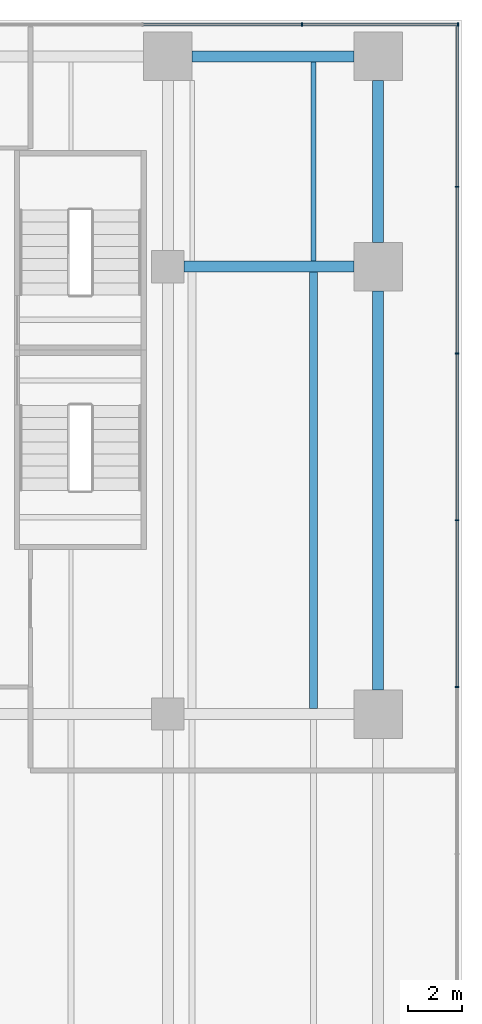
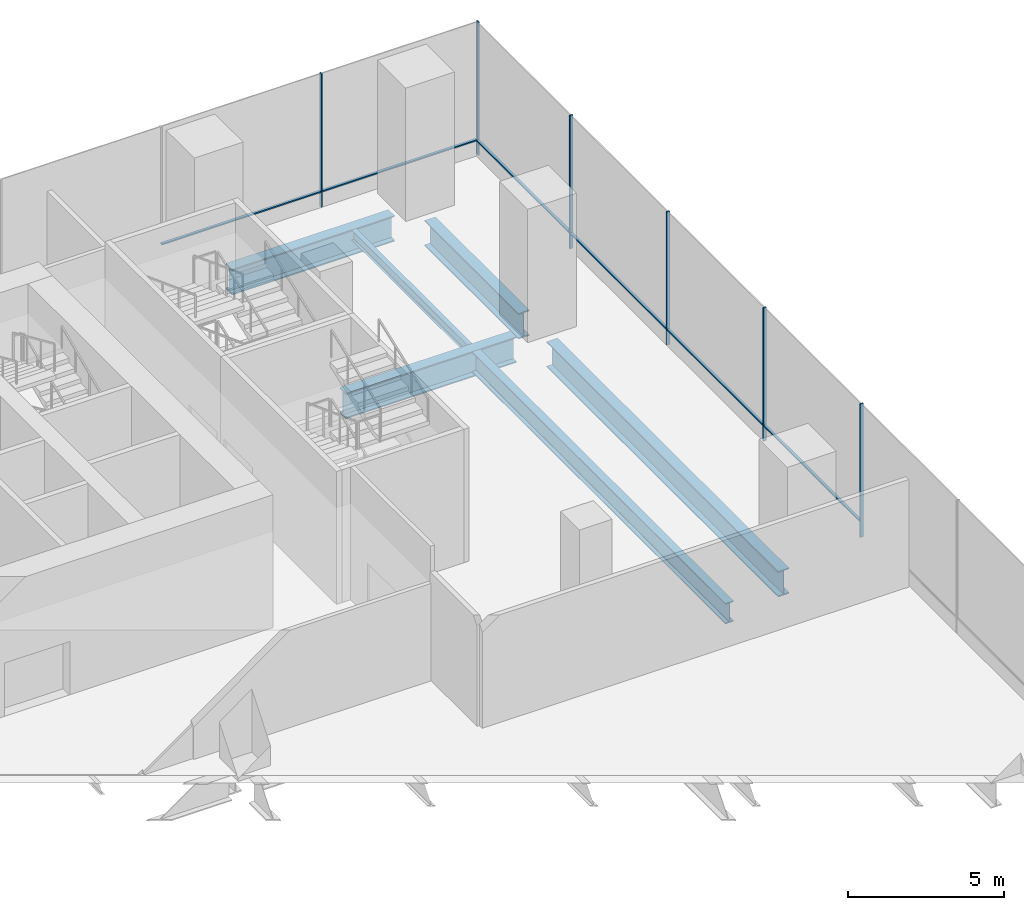
# One storey, part 16 of 26: 12 members, 6 beams, 2 elements without a shape of their own.
"""IFC4 building model written with IfcOpenShell, lengths in metres."""

import ifcopenshell
import ifcopenshell.guid

model = None  # the IFC model being written
_history = None  # IfcOwnerHistory: only IFC2X3 demands one
_inside = {}  # id of a spatial element -> (the spatial element, [elements in it])
_under = {}  # id of a project, library or spatial element -> (it, [spatial elements below it])
_declared = {}  # id of a project -> (the project, [libraries it declares])
_typed = {}  # id of a type object -> (the type object, [elements of that type])
_made_of = {}  # id of a material, layer set ... -> (it, [elements and type objects made of it])


def new_model(schema):
    """Start an empty IFC model of exactly this schema.

    Asked for "IFC4X3", IfcOpenShell would pick the latest addendum, in which some entities
    have other attributes; the version numbers below select the first issue.
    IFC2X3 requires an IfcOwnerHistory on every rooted entity: one is made here for all.
    """
    global model, _history
    if schema == "IFC4X3":
        model = ifcopenshell.file(schema_version=(4, 3, 0, 0))
    else:
        model = ifcopenshell.file(schema=schema)
    _inside.clear()
    _under.clear()
    _declared.clear()
    _typed.clear()
    _made_of.clear()
    _history = None
    if model.schema == "IFC2X3":
        org = make("IfcOrganization", Name="unknown")
        user = make(
            "IfcPersonAndOrganization",
            ThePerson=make("IfcPerson", FamilyName="unknown"),
            TheOrganization=org,
        )
        app = make(
            "IfcApplication",
            ApplicationDeveloper=org,
            Version="unknown",
            ApplicationFullName="unknown",
            ApplicationIdentifier="unknown",
        )
        _history = make(
            "IfcOwnerHistory",
            OwningUser=user,
            OwningApplication=app,
            ChangeAction="ADDED",
            CreationDate=0,
        )
    return model


def make(cls, **values):
    """One entity of the class cls with the attributes given. An attribute that is None is left unset."""
    return model.create_entity(
        cls, **{name: value for name, value in values.items() if value is not None}
    )


def rooted(cls, **values):
    """An entity with a GlobalId (a new one), such as an element, a storey or a relation."""
    return make(cls, GlobalId=ifcopenshell.guid.new(), OwnerHistory=_history, **values)


def si_unit(unit_type, name, prefix=None):
    """IfcSIUnit, for example si_unit("LENGTHUNIT", "METRE", prefix="MILLI")."""
    return make("IfcSIUnit", UnitType=unit_type, Prefix=prefix, Name=name)


def assignment(units):
    """IfcUnitAssignment: the units of a project."""
    return None if units is None else make("IfcUnitAssignment", Units=units)


def point(xyz):
    """IfcCartesianPoint."""
    return None if xyz is None else make("IfcCartesianPoint", Coordinates=xyz)


def direction(xyz):
    """IfcDirection."""
    return None if xyz is None else make("IfcDirection", DirectionRatios=xyz)


def frame(location, z_axis=None, x_axis=None):
    """IfcAxis2Placement3D, a coordinate frame: its origin and axes. An axis left out is left unset."""
    return make(
        "IfcAxis2Placement3D",
        Location=point(location),
        Axis=direction(z_axis),
        RefDirection=direction(x_axis),
    )


def frame_2d(location, x_axis=None):
    """IfcAxis2Placement2D, a coordinate frame in the plane: its origin and x axis."""
    return make(
        "IfcAxis2Placement2D", Location=point(location), RefDirection=direction(x_axis)
    )


def origin():
    """The frame at (0, 0, 0) with its axes left unset."""
    return frame((0.0, 0.0, 0.0))


def origin_2d():
    """The frame at (0, 0) in the plane with its x axis left unset."""
    return frame_2d((0.0, 0.0))


def place(relative_to, where):
    """IfcLocalPlacement: puts the frame where relative to a parent placement (None: the world)."""
    return make(
        "IfcLocalPlacement", PlacementRelTo=relative_to, RelativePlacement=where
    )


def context(
    kind, dimensions, precision=None, world=None, true_north=None, identifier=None
):
    """IfcGeometricRepresentationContext, for example the 3D "Model" context."""
    return make(
        "IfcGeometricRepresentationContext",
        ContextIdentifier=identifier,
        ContextType=kind,
        CoordinateSpaceDimension=dimensions,
        Precision=precision,
        WorldCoordinateSystem=world,
        TrueNorth=true_north,
    )


def subcontext(parent, identifier, kind, view, scale=None):
    """IfcGeometricRepresentationSubContext, for example "Body" below "Model"."""
    return make(
        "IfcGeometricRepresentationSubContext",
        ContextIdentifier=identifier,
        ContextType=kind,
        ParentContext=parent,
        TargetScale=scale,
        TargetView=view,
    )


def project(units=None, contexts=None):
    """IfcProject with its units and contexts."""
    return rooted(
        "IfcProject",
        Name="project",
        RepresentationContexts=contexts,
        UnitsInContext=assignment(units),
    )


def spatial(cls, under=None, at=None, **own):
    """A site, building, storey or space (cls), placed at a placement, below another one or the project."""
    s = rooted(cls, ObjectPlacement=at, **own)
    if under is not None:
        _under.setdefault(under.id(), (under, []))[1].append(s)
    return s


def profile(cls, at=None, kind="AREA", **sizes):
    """A parametric profile (cls). Its sizes go by their IFC names, for example OverallWidth=200.0."""
    return make(cls, ProfileType=kind, Position=at, **sizes)


def rectangle(**sizes):
    """IfcRectangleProfileDef."""
    return profile("IfcRectangleProfileDef", **sizes)


def i_section(**sizes):
    """IfcIShapeProfileDef."""
    return profile("IfcIShapeProfileDef", **sizes)


def extrude(swept, where, along, depth):
    """IfcExtrudedAreaSolid: the profile swept, set in the frame where, extruded along a direction by depth."""
    return make(
        "IfcExtrudedAreaSolid",
        SweptArea=swept,
        Position=where,
        ExtrudedDirection=direction(along),
        Depth=depth,
    )


def shape(context_of_items, identifier, shape_type, items):
    """IfcShapeRepresentation: the items that make up one representation, for example the "Body"."""
    return make(
        "IfcShapeRepresentation",
        ContextOfItems=context_of_items,
        RepresentationIdentifier=identifier,
        RepresentationType=shape_type,
        Items=items,
    )


def material(Name=None, Category=None):
    """IfcMaterial."""
    return make("IfcMaterial", Name=Name, Category=Category)


def layer(
    of_material, thickness, ventilated=None, Name=None, Category=None, Priority=None
):
    """IfcMaterialLayer: one layer of a wall or slab, of a material (None: an air gap)."""
    return make(
        "IfcMaterialLayer",
        Material=of_material,
        LayerThickness=thickness,
        IsVentilated=ventilated,
        Name=Name,
        Category=Category,
        Priority=Priority,
    )


def layer_set(layers, Name=None):
    """IfcMaterialLayerSet."""
    return make("IfcMaterialLayerSet", MaterialLayers=layers, LayerSetName=Name)


def material_profile(
    of_material, cross_section, Name=None, Category=None, Priority=None
):
    """IfcMaterialProfile: a cross section and its material."""
    return make(
        "IfcMaterialProfile",
        Name=Name,
        Material=of_material,
        Profile=cross_section,
        Priority=Priority,
        Category=Category,
    )


def profile_set(profiles, Name=None, composite=None):
    """IfcMaterialProfileSet."""
    return make(
        "IfcMaterialProfileSet",
        Name=Name,
        MaterialProfiles=profiles,
        CompositeProfile=composite,
    )


def made_of(thing, what):
    """Note that an element or type object is made of a material, layer set ...; save() writes the relation."""
    if what is not None:
        _made_of.setdefault(what.id(), (what, []))[1].append(thing)
    return thing


def type_object(cls, material=None, **own):
    """A type object (cls), such as IfcWallType, which elements share."""
    return made_of(rooted(cls, **own), material)


def element(
    cls,
    number,
    at=None,
    inside=None,
    cuts=None,
    type_object=None,
    material=None,
    context=None,
    identifier="Body",
    shape_type=None,
    held_by="IfcProductDefinitionShape",
    body=None,
    shapes=None,
    **own,
):
    """One element of the class cls, such as IfcWall. Its Tag is "e" and its number.

    at: its placement. inside: the storey or other place that contains it. cuts: it is an
    opening in that element (IfcRelVoidsElement). A single representation is given by context,
    identifier, shape_type and body (its items); several are given by shapes. held_by: the class
    of the entity that holds the representations. save() writes the other relations.
    """
    e = rooted(cls, Tag="e%d" % number, ObjectPlacement=at, **own)
    if body is not None:
        shapes = [shape(context, identifier, shape_type, body)]
    if shapes is not None:
        e.Representation = make(held_by, Representations=shapes)
    if inside is not None:
        _inside.setdefault(inside.id(), (inside, []))[1].append(e)
    if cuts is not None:
        rooted(
            "IfcRelVoidsElement", RelatingBuildingElement=cuts, RelatedOpeningElement=e
        )
    if type_object is not None:
        _typed.setdefault(type_object.id(), (type_object, []))[1].append(e)
    return made_of(e, material)


def aggregate(whole, parts):
    """IfcRelAggregates: a whole, such as a stair, and the parts it consists of."""
    return rooted("IfcRelAggregates", RelatingObject=whole, RelatedObjects=parts)


def save(model, path):
    """Write the relations noted so far, then the file.

    IfcRelAggregates (storeys below a building ...), IfcRelContainedInSpatialStructure (elements
    in a storey), IfcRelDefinesByType, IfcRelAssociatesMaterial and IfcRelDeclares: one each for
    every whole, place, type object, material and project.
    """
    for whole, parts in _under.values():
        aggregate(whole, parts)
    for where, things in _inside.values():
        rooted(
            "IfcRelContainedInSpatialStructure",
            RelatedElements=things,
            RelatingStructure=where,
        )
    for kind, things in _typed.values():
        rooted("IfcRelDefinesByType", RelatedObjects=things, RelatingType=kind)
    for what, things in _made_of.values():
        rooted("IfcRelAssociatesMaterial", RelatedObjects=things, RelatingMaterial=what)
    for by, libraries in _declared.values():
        rooted("IfcRelDeclares", RelatingContext=by, RelatedDefinitions=libraries)
    model.write(path)


model = new_model("IFC4")

# Units and contexts
model_context = context("Model", 3, precision=1e-05, world=origin(), true_north=direction((0.0, 1.0)))
body_context = subcontext(model_context, "Body", "Model", "MODEL_VIEW")
ifc_project = project(units=[si_unit("LENGTHUNIT", "METRE"), si_unit("AREAUNIT", "SQUARE_METRE"), si_unit("VOLUMEUNIT", "CUBIC_METRE"), si_unit("PLANEANGLEUNIT", "RADIAN"), si_unit("MASSUNIT", "GRAM", prefix="KILO")], contexts=[model_context])

# Site, building, storey
site_placement = place(None, origin())
site = spatial("IfcSite", under=ifc_project, at=site_placement, CompositionType="ELEMENT")
building_placement = place(site_placement, origin())
building = spatial("IfcBuilding", under=site, at=building_placement, Name="Rattan Terrace Tower", CompositionType="ELEMENT")
storey_placement = place(building_placement, frame((0.0, 0.0, 7.199951171875)))
storey = spatial("IfcBuildingStorey", under=building, at=storey_placement, Name="L01", CompositionType="ELEMENT", Elevation=7.199951171875)

# Beams
ifc_material_1 = material(Name="Steel S355", Category="steel")
ifc_material_profile_1 = material_profile(ifc_material_1, i_section(OverallWidth=0.300048828125, OverallDepth=0.800048828125, WebThickness=0.017578125, FlangeThickness=0.032958984375, FilletRadius=0.030029296875, at=origin_2d()), Name="HE 800 B")
ifc_profile_set_1 = profile_set([ifc_material_profile_1], Name="Steel S355")
beam_type_1 = type_object("IfcBeamType", Name="Frame floor beam HE 800 B", PredefinedType="JOIST", material=ifc_profile_set_1)
beam_1_placement = place(storey_placement, frame((31.5, -13.300048828125, -0.599853515625), z_axis=(0.0, 1.0, 0.0), x_axis=(-1.0, 0.0, 0.0)))
element("IfcBeam", 1, at=beam_1_placement, inside=storey, type_object=beam_type_1, Name="bm-L01-038", PredefinedType="JOIST", context=body_context, shape_type="SweptSolid", body=[
    extrude(i_section(OverallWidth=0.300048828125, OverallDepth=0.800048828125, WebThickness=0.017578125, FlangeThickness=0.032958984375, FilletRadius=0.030029296875, at=origin_2d()), origin(), (0.0, 0.0, 1.0), 16.199951171875),
])
ifc_material_2 = material(Name="Steel S355", Category="steel")
ifc_material_profile_2 = material_profile(ifc_material_2, i_section(OverallWidth=0.179931640625, OverallDepth=0.39990234375, WebThickness=0.008544921875, FlangeThickness=0.013427734375, FilletRadius=0.02099609375, at=origin_2d()), Name="IPE 400")
ifc_profile_set_2 = profile_set([ifc_material_profile_2], Name="Steel S355")
beam_type_2 = type_object("IfcBeamType", Name="Frame floor beam IPE 400", PredefinedType="JOIST", material=ifc_profile_set_2)
beam_2_placement = place(storey_placement, frame((31.5, 3.300048828125, -0.39990234375), z_axis=(0.0, 1.0, 0.0), x_axis=(-1.0, 0.0, 0.0)))
element("IfcBeam", 2, at=beam_2_placement, inside=storey, type_object=beam_type_2, Name="bm-L01-042", PredefinedType="JOIST", context=body_context, shape_type="SweptSolid", body=[
    extrude(i_section(OverallWidth=0.179931640625, OverallDepth=0.39990234375, WebThickness=0.008544921875, FlangeThickness=0.013427734375, FilletRadius=0.02099609375, at=origin_2d()), origin(), (0.0, 0.0, 1.0), 7.39990234375),
])
ifc_material_3 = material(Name="Steel S460", Category="steel")
ifc_material_profile_3 = material_profile(ifc_material_3, i_section(OverallWidth=0.39990234375, OverallDepth=1.0, WebThickness=0.01806640625, FlangeThickness=0.044921875, at=origin_2d()), Name="PG 1000x400-18-45")
ifc_profile_set_3 = profile_set([ifc_material_profile_3], Name="Steel S460")
beam_type_3 = type_object("IfcBeamType", Name="Frame podium girder PG 1000x400-18-45", PredefinedType="USERDEFINED", material=ifc_profile_set_3)
beam_3_placement = place(storey_placement, frame((33.89990234375, -12.60009765625, -0.699951171875), z_axis=(0.0, 1.0, 0.0), x_axis=(-1.0, 0.0, 0.0)))
element("IfcBeam", 3, at=beam_3_placement, inside=storey, type_object=beam_type_3, Name="gdr-L01-039", ObjectType="PODIUM GIRDER", PredefinedType="USERDEFINED", context=body_context, shape_type="SweptSolid", body=[
    extrude(i_section(OverallWidth=0.39990234375, OverallDepth=1.0, WebThickness=0.01806640625, FlangeThickness=0.044921875, at=origin_2d()), origin(), (0.0, 0.0, 1.0), 14.800048828125),
])
beam_4_placement = place(storey_placement, frame((26.699951171875, 3.10009765625, -0.699951171875), z_axis=(1.0, 0.0, 0.0), x_axis=(0.0, 1.0, 0.0)))
element("IfcBeam", 4, at=beam_4_placement, inside=storey, type_object=beam_type_3, Name="gdr-L01-041", ObjectType="PODIUM GIRDER", PredefinedType="USERDEFINED", context=body_context, shape_type="SweptSolid", body=[
    extrude(i_section(OverallWidth=0.39990234375, OverallDepth=1.0, WebThickness=0.01806640625, FlangeThickness=0.044921875, at=origin_2d()), origin(), (0.0, 0.0, 1.0), 6.300048828125),
])
for number, where, z_axis, x_axis, name in (
    (5, (33.89990234375, 4.0, -0.699951171875), (0.0, 1.0, 0.0), (-1.0, 0.0, 0.0), "gdr-L01-045"),
    (6, (27.0, 10.89990234375, -0.699951171875), (1.0, 0.0, 0.0), (0.0, 1.0, 0.0), "gdr-L01-051"),
):
    element("IfcBeam", number, at=place(storey_placement, frame(where, z_axis=z_axis, x_axis=x_axis)), inside=storey, type_object=beam_type_3, Name=name, ObjectType="PODIUM GIRDER", PredefinedType="USERDEFINED", context=body_context, shape_type="SweptSolid", body=[
        extrude(i_section(OverallWidth=0.39990234375, OverallDepth=1.0, WebThickness=0.01806640625, FlangeThickness=0.044921875, at=origin_2d()), origin(), (0.0, 0.0, 1.0), 6.0),
    ])

# Curtain wall, members
ifc_material_4 = material(Name="Aluminium and glass", Category="aluminium")
ifc_layer = layer(ifc_material_4, 0.1201171875)
ifc_layer_set = layer_set([ifc_layer], Name="Station Storefront Curtain Wall")
curtain_wall_type = type_object("IfcCurtainWallType", Name="Station Storefront Curtain Wall", PredefinedType="NOTDEFINED", material=ifc_layer_set)
curtain_wall_1_placement = place(storey_placement, origin())
curtain_wall_1 = element("IfcCurtainWall", 7, at=curtain_wall_1_placement, inside=storey, type_object=curtain_wall_type, Name="Storefront curtain wall L01-1", PredefinedType="NOTDEFINED")
ifc_material_5 = material(Name="Aluminium", Category="aluminium")
ifc_material_profile_4 = material_profile(ifc_material_5, rectangle(XDim=0.050048828125, YDim=0.1201171875, at=origin_2d()), Name="Aluminium 50x120")
ifc_profile_set_4 = profile_set([ifc_material_profile_4], Name="Aluminium")
member_type_1 = type_object("IfcMemberType", Name="Storefront CW Mullion 50x120", PredefinedType="MULLION", material=ifc_profile_set_4)
member_1_placement = place(storey_placement, frame((36.830078125, -12.498046875, 0.0), z_axis=(0.0, 0.0, 1.0), x_axis=(0.0, 1.0, 0.0)))
member_1 = element("IfcMember", 8, at=member_1_placement, type_object=member_type_1, Name="Mullion cwl-L01-001.5", PredefinedType="MULLION", context=body_context, shape_type="SweptSolid", body=[
    extrude(rectangle(XDim=0.050048828125, YDim=0.1201171875, at=origin_2d()), origin(), (0.0, 0.0, 1.0), 5.199951171875),
])
member_2_placement = place(storey_placement, frame((36.830078125, -6.31005859375, 0.0), z_axis=(0.0, 0.0, 1.0), x_axis=(0.0, 1.0, 0.0)))
member_2 = element("IfcMember", 9, at=member_2_placement, type_object=member_type_1, Name="Mullion cwl-L01-001.6", PredefinedType="MULLION", context=body_context, shape_type="SweptSolid", body=[
    extrude(rectangle(XDim=0.050048828125, YDim=0.1201171875, at=origin_2d()), origin(), (0.0, 0.0, 1.0), 5.199951171875),
])
member_3_placement = place(storey_placement, frame((36.830078125, -0.1220703125, 0.0), z_axis=(0.0, 0.0, 1.0), x_axis=(0.0, 1.0, 0.0)))
member_3 = element("IfcMember", 10, at=member_3_placement, type_object=member_type_1, Name="Mullion cwl-L01-001.7", PredefinedType="MULLION", context=body_context, shape_type="SweptSolid", body=[
    extrude(rectangle(XDim=0.050048828125, YDim=0.1201171875, at=origin_2d()), origin(), (0.0, 0.0, 1.0), 5.199951171875),
])
member_4_placement = place(storey_placement, frame((36.830078125, 6.06591796875, 0.0), z_axis=(0.0, 0.0, 1.0), x_axis=(0.0, 1.0, 0.0)))
member_4 = element("IfcMember", 11, at=member_4_placement, type_object=member_type_1, Name="Mullion cwl-L01-001.8", PredefinedType="MULLION", context=body_context, shape_type="SweptSolid", body=[
    extrude(rectangle(XDim=0.050048828125, YDim=0.1201171875, at=origin_2d()), origin(), (0.0, 0.0, 1.0), 5.199951171875),
])

curtain_wall_2_placement = place(storey_placement, origin())
curtain_wall_2 = element("IfcCurtainWall", 12, at=curtain_wall_2_placement, inside=storey, type_object=curtain_wall_type, Name="Storefront curtain wall L01-2", PredefinedType="NOTDEFINED")
member_5_placement = place(storey_placement, frame((36.864990234375, 12.080078125, 0.0), z_axis=(0.0, 0.0, 1.0), x_axis=(-1.0, 0.0, 0.0)))
member_5 = element("IfcMember", 13, at=member_5_placement, type_object=member_type_1, Name="Mullion cwl-L01-002.1", PredefinedType="MULLION", context=body_context, shape_type="SweptSolid", body=[
    extrude(rectangle(XDim=0.050048828125, YDim=0.1201171875, at=origin_2d()), origin(), (0.0, 0.0, 1.0), 5.199951171875),
])
member_6_placement = place(storey_placement, frame((31.080078125, 12.080078125, 0.0), z_axis=(0.0, 0.0, 1.0), x_axis=(-1.0, 0.0, 0.0)))
member_6 = element("IfcMember", 14, at=member_6_placement, type_object=member_type_1, Name="Mullion cwl-L01-002.2", PredefinedType="MULLION", context=body_context, shape_type="SweptSolid", body=[
    extrude(rectangle(XDim=0.050048828125, YDim=0.1201171875, at=origin_2d()), origin(), (0.0, 0.0, 1.0), 5.199951171875),
])

# Member
ifc_material_6 = material(Name="Aluminium", Category="aluminium")
ifc_material_profile_5 = material_profile(ifc_material_6, rectangle(XDim=0.10009765625, YDim=0.050048828125, at=origin_2d()), Name="Aluminium 100x50")
ifc_profile_set_5 = profile_set([ifc_material_profile_5], Name="Aluminium")
member_type_2 = type_object("IfcMemberType", Name="Storefront CW Transom 100x50", PredefinedType="USERDEFINED", material=ifc_profile_set_5)
member_7_placement = place(storey_placement, frame((36.830078125, -12.472900390625, 0.60009765625), z_axis=(0.0, 1.0, 0.0), x_axis=(-1.0, 0.0, 0.0)))
member_7 = element("IfcMember", 15, at=member_7_placement, type_object=member_type_2, Name="Transom cwl-L01-001.5", ObjectType="TRANSOM", PredefinedType="USERDEFINED", context=body_context, shape_type="SweptSolid", body=[
    extrude(rectangle(XDim=0.10009765625, YDim=0.050048828125, at=origin_2d()), origin(), (0.0, 0.0, 1.0), 6.137939453125),
])

member_8_placement = place(storey_placement, frame((36.830078125, -6.284912109375, 0.60009765625), z_axis=(0.0, 1.0, 0.0), x_axis=(-1.0, 0.0, 0.0)))
member_8 = element("IfcMember", 16, at=member_8_placement, type_object=member_type_2, Name="Transom cwl-L01-001.6", ObjectType="TRANSOM", PredefinedType="USERDEFINED", context=body_context, shape_type="SweptSolid", body=[
    extrude(rectangle(XDim=0.10009765625, YDim=0.050048828125, at=origin_2d()), origin(), (0.0, 0.0, 1.0), 6.137939453125),
])

member_9_placement = place(storey_placement, frame((36.830078125, -0.096923828125, 0.60009765625), z_axis=(0.0, 1.0, 0.0), x_axis=(-1.0, 0.0, 0.0)))
member_9 = element("IfcMember", 17, at=member_9_placement, type_object=member_type_2, Name="Transom cwl-L01-001.7", ObjectType="TRANSOM", PredefinedType="USERDEFINED", context=body_context, shape_type="SweptSolid", body=[
    extrude(rectangle(XDim=0.10009765625, YDim=0.050048828125, at=origin_2d()), origin(), (0.0, 0.0, 1.0), 6.137939453125),
])

member_10_placement = place(storey_placement, frame((36.830078125, 6.091064453125, 0.60009765625), z_axis=(0.0, 1.0, 0.0), x_axis=(-1.0, 0.0, 0.0)))
member_10 = element("IfcMember", 18, at=member_10_placement, type_object=member_type_2, Name="Transom cwl-L01-001.8", ObjectType="TRANSOM", PredefinedType="USERDEFINED", context=body_context, shape_type="SweptSolid", body=[
    extrude(rectangle(XDim=0.10009765625, YDim=0.050048828125, at=origin_2d()), origin(), (0.0, 0.0, 1.0), 5.928955078125),
])

aggregate(curtain_wall_1, [member_1, member_2, member_3, member_4, member_7, member_8, member_9, member_10])

member_11_placement = place(storey_placement, frame((36.840087890625, 12.080078125, 0.60009765625), z_axis=(-1.0, 0.0, 0.0), x_axis=(0.0, -1.0, 0.0)))
member_11 = element("IfcMember", 19, at=member_11_placement, type_object=member_type_2, Name="Transom cwl-L01-002.1", ObjectType="TRANSOM", PredefinedType="USERDEFINED", context=body_context, shape_type="SweptSolid", body=[
    extrude(rectangle(XDim=0.10009765625, YDim=0.050048828125, at=origin_2d()), origin(), (0.0, 0.0, 1.0), 5.735107421875),
])

member_12_placement = place(storey_placement, frame((31.054931640625, 12.080078125, 0.60009765625), z_axis=(-1.0, 0.0, 0.0), x_axis=(0.0, -1.0, 0.0)))
member_12 = element("IfcMember", 20, at=member_12_placement, type_object=member_type_2, Name="Transom cwl-L01-002.2", ObjectType="TRANSOM", PredefinedType="USERDEFINED", context=body_context, shape_type="SweptSolid", body=[
    extrude(rectangle(XDim=0.10009765625, YDim=0.050048828125, at=origin_2d()), origin(), (0.0, 0.0, 1.0), 5.869873046875),
])

aggregate(curtain_wall_2, [member_5, member_6, member_11, member_12])

save(model, "model.ifc")
